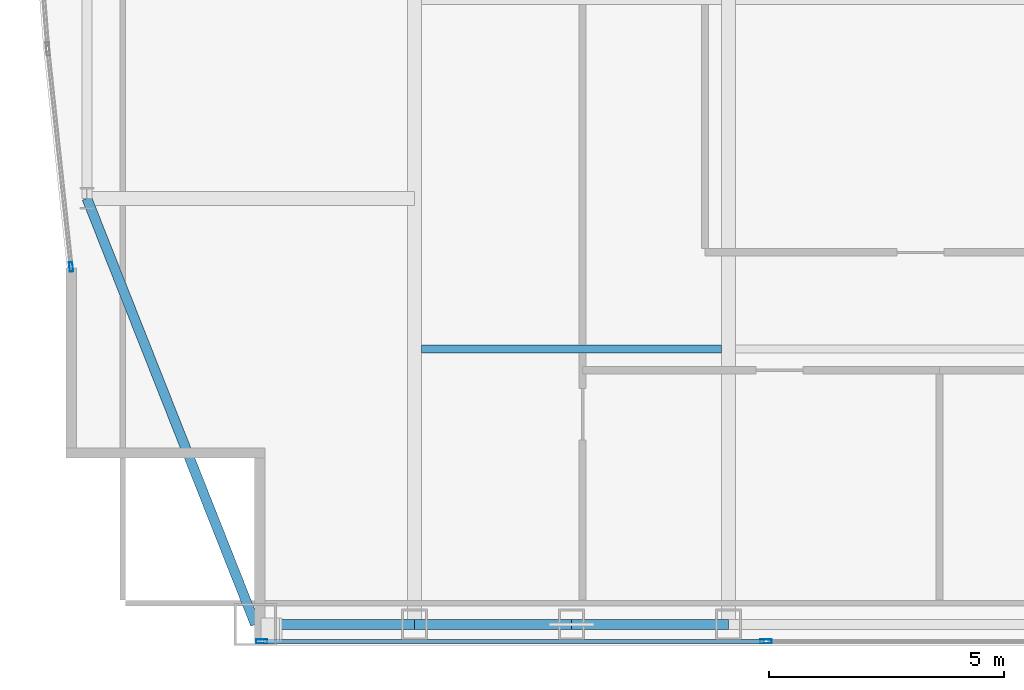
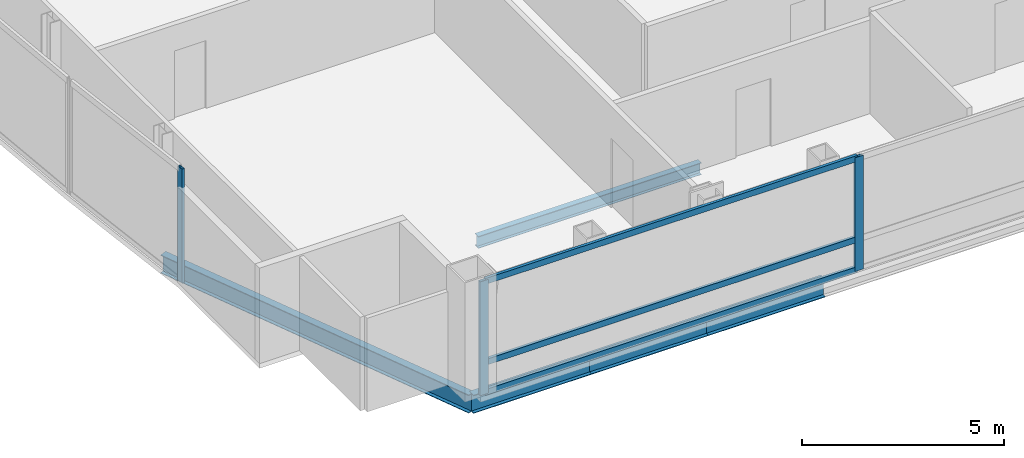
# One storey, part 4 of 27: 6 members, 5 beams, 2 elements without a shape of their own.
"""IFC4 building model written with IfcOpenShell, lengths in metres."""

from ifc_helpers import new_model, si_unit, direction, frame, origin, origin_2d, place, context, subcontext, project, spatial, hollow_rectangle, i_section, extrude, material, material_profile, profile_set, type_object, element, aggregate, save


model = new_model("IFC4")

# Units and contexts
model_context = context("Model", 3, precision=1e-05, world=origin(), true_north=direction((0.0, 1.0)))
body_context = subcontext(model_context, "Body", "Model", "MODEL_VIEW")
ifc_project = project(units=[si_unit("LENGTHUNIT", "METRE"), si_unit("AREAUNIT", "SQUARE_METRE"), si_unit("VOLUMEUNIT", "CUBIC_METRE"), si_unit("PLANEANGLEUNIT", "RADIAN"), si_unit("MASSUNIT", "GRAM", prefix="KILO")], contexts=[model_context])

# Site, building, storey
site_placement = place(None, origin())
site = spatial("IfcSite", under=ifc_project, at=site_placement, CompositionType="ELEMENT")
building_placement = place(site_placement, origin())
building = spatial("IfcBuilding", under=site, at=building_placement, Name="Khoronbel Lancet Exchange", CompositionType="ELEMENT")
storey_placement = place(building_placement, frame((0.0, 0.0, 343.39990234375)))
storey = spatial("IfcBuildingStorey", under=building, at=storey_placement, Name="L89", CompositionType="ELEMENT", Elevation=343.39990234375)

# Beams
ifc_material_1 = material(Name="Steel S355", Category="steel")
ifc_material_profile_1 = material_profile(ifc_material_1, i_section(OverallWidth=0.169921875, OverallDepth=0.360107421875, WebThickness=0.008056640625, FlangeThickness=0.0126953125, at=origin_2d()), Name="IPE 360")
ifc_profile_set_1 = profile_set([ifc_material_profile_1], Name="Steel S355")
beam_type_1 = type_object("IfcBeamType", Name="BM-BJ6", PredefinedType="JOIST", material=ifc_profile_set_1)
beam_1_placement = place(storey_placement, frame((18.375, 16.0, -0.33984375), z_axis=(1.0, 0.0, 0.0), x_axis=(0.0, 1.0, 0.0)))
element("IfcBeam", 1, at=beam_1_placement, inside=storey, type_object=beam_type_1, Name="Level L89 secondary composite joist J01", PredefinedType="JOIST", context=body_context, shape_type="SweptSolid", body=[
    extrude(i_section(OverallWidth=0.169921875, OverallDepth=0.360107421875, WebThickness=0.008056640625, FlangeThickness=0.0126953125, at=origin_2d()), origin(), (0.0, 0.0, 1.0), 6.375),
])
ifc_material_profile_2 = material_profile(ifc_material_1, i_section(OverallWidth=0.2099609375, OverallDepth=0.550048828125, WebThickness=0.010986328125, FlangeThickness=0.01708984375, at=origin_2d()), Name="IPE 550")
ifc_profile_set_2 = profile_set([ifc_material_profile_2], Name="Steel S355")
beam_type_2 = type_object("IfcBeamType", Name="BM-BSP3", PredefinedType="SPANDREL", material=ifc_profile_set_2)
beam_2_placement = place(storey_placement, frame((14.85009765625, 10.14990234375, -0.434814453125), z_axis=(1.0, 0.0, 0.0), x_axis=(0.0, 1.0, 0.0)))
element("IfcBeam", 2, at=beam_2_placement, inside=storey, type_object=beam_type_2, Name="Level L89 perimeter spandrel beam SP01", PredefinedType="SPANDREL", context=body_context, shape_type="SweptSolid", body=[
    extrude(i_section(OverallWidth=0.2099609375, OverallDepth=0.550048828125, WebThickness=0.010986328125, FlangeThickness=0.01708984375, at=origin_2d()), origin(), (0.0, 0.0, 1.0), 3.375),
])
for number, where, z_axis, x_axis, name in (
    (3, (18.22509765625, 10.14990234375, -0.434814453125), (1.0, 0.0, 0.0), (0.0, 1.0, 0.0), "Level L89 perimeter spandrel beam SP02"),
    (4, (21.5625, 10.14990234375, -0.434814453125), (1.0, 0.0, 0.0), (0.0, 1.0, 0.0), "Level L89 perimeter spandrel beam SP03"),
):
    element("IfcBeam", number, at=place(storey_placement, frame(where, z_axis=z_axis, x_axis=x_axis)), inside=storey, type_object=beam_type_2, Name=name, PredefinedType="SPANDREL", context=body_context, shape_type="SweptSolid", body=[
        extrude(i_section(OverallWidth=0.2099609375, OverallDepth=0.550048828125, WebThickness=0.010986328125, FlangeThickness=0.01708984375, at=origin_2d()), origin(), (0.0, 0.0, 1.0), 3.33740234375),
    ])
beam_3_placement = place(storey_placement, frame((11.27001953125, 19.199951171875, -0.434814453125), z_axis=(0.367850095026, -0.92988510451, 0.0), x_axis=(0.92988510451, 0.367850095026, 0.0)))
element("IfcBeam", 5, at=beam_3_placement, inside=storey, type_object=beam_type_2, Name="Level L89 perimeter spandrel beam SP19", PredefinedType="SPANDREL", context=body_context, shape_type="SweptSolid", body=[
    extrude(i_section(OverallWidth=0.2099609375, OverallDepth=0.550048828125, WebThickness=0.010986328125, FlangeThickness=0.01708984375, at=origin_2d()), origin(), (0.0, 0.0, 1.0), 9.732421875),
])

# Curtain wall, members
ifc_material_2 = material(Name="Low-E Solar Control Insulating Glass", Category="glass")
curtain_wall_type_1 = type_object("IfcCurtainWallType", Name="CW-3", PredefinedType="NOTDEFINED", material=ifc_material_2)
curtain_wall_1_placement = place(storey_placement, origin())
curtain_wall_1 = element("IfcCurtainWall", 6, at=curtain_wall_1_placement, inside=storey, type_object=curtain_wall_type_1, Name="Unitised curtain wall CW-L89-E26", PredefinedType="NOTDEFINED")
ifc_material_3 = material(Name="Bronze-Anodised Aluminium 6063-T6", Category="aluminium")
ifc_material_profile_3 = material_profile(ifc_material_3, hollow_rectangle(XDim=0.0849609375, YDim=0.239990234375, WallThickness=0.006103515625, at=origin_2d()), Name="ALU MULLION 85x240")
ifc_profile_set_3 = profile_set([ifc_material_profile_3], Name="Bronze-Anodised Aluminium 6063-T6")
member_type_1 = type_object("IfcMemberType", Name="MEM-CWM1", PredefinedType="MULLION", material=ifc_profile_set_3)
member_1_placement = place(storey_placement, frame((25.695068359375, 9.7900390625, 0.0), z_axis=(0.0, 0.0, 1.0), x_axis=(0.0, -1.0, 0.0)))
member_1 = element("IfcMember", 7, at=member_1_placement, type_object=member_type_1, Name="CW3 mullion 4", PredefinedType="MULLION", context=body_context, shape_type="SweptSolid", body=[
    extrude(hollow_rectangle(XDim=0.0849609375, YDim=0.239990234375, WallThickness=0.006103515625, at=origin_2d()), origin(), (0.0, 0.0, 1.0), 3.440185546875),
])
member_2_placement = place(storey_placement, frame((14.982421875, 9.7900390625, 0.0), z_axis=(0.0, 0.0, 1.0), x_axis=(0.0, -1.0, 0.0)))
member_2 = element("IfcMember", 8, at=member_2_placement, type_object=member_type_1, Name="CW3 mullion 5", PredefinedType="MULLION", context=body_context, shape_type="SweptSolid", body=[
    extrude(hollow_rectangle(XDim=0.0849609375, YDim=0.239990234375, WallThickness=0.006103515625, at=origin_2d()), origin(), (0.0, 0.0, 1.0), 3.440185546875),
])

# Curtain wall, member
curtain_wall_type_2 = type_object("IfcCurtainWallType", Name="CW-4", PredefinedType="NOTDEFINED", material=ifc_material_2)
curtain_wall_2_placement = place(storey_placement, origin())
curtain_wall_2 = element("IfcCurtainWall", 9, at=curtain_wall_2_placement, inside=storey, type_object=curtain_wall_type_2, Name="Unitised curtain wall CW-L89-E04", PredefinedType="NOTDEFINED")
ifc_material_profile_4 = material_profile(ifc_material_3, hollow_rectangle(XDim=0.074951171875, YDim=0.199951171875, WallThickness=0.0048828125, at=origin_2d()), Name="ALU MULLION 75x200")
ifc_profile_set_4 = profile_set([ifc_material_profile_4], Name="Bronze-Anodised Aluminium 6063-T6")
member_type_2 = type_object("IfcMemberType", Name="MEM-CWM2", PredefinedType="MULLION", material=ifc_profile_set_4)
member_3_placement = place(storey_placement, frame((10.93603515625, 17.7421875, 0.0), z_axis=(0.0, 0.0, 1.0), x_axis=(-0.994308670645, -0.106537634098, 0.0)))
member_3 = element("IfcMember", 10, at=member_3_placement, type_object=member_type_2, Name="CW4 mullion 1", PredefinedType="MULLION", context=body_context, shape_type="SweptSolid", body=[
    extrude(hollow_rectangle(XDim=0.074951171875, YDim=0.199951171875, WallThickness=0.0048828125, at=origin_2d()), origin(), (0.0, 0.0, 1.0), 3.440185546875),
])
aggregate(curtain_wall_2, [member_3])

# Member
ifc_material_profile_5 = material_profile(ifc_material_3, hollow_rectangle(XDim=0.0849609375, YDim=0.179931640625, WallThickness=0.0048828125, at=origin_2d()), Name="ALU TRANSOM 85x180")
ifc_profile_set_5 = profile_set([ifc_material_profile_5], Name="Bronze-Anodised Aluminium 6063-T6")
member_type_3 = type_object("IfcMemberType", Name="MEM-CWT1", PredefinedType="USERDEFINED", material=ifc_profile_set_5)
member_4_placement = place(storey_placement, frame((25.652587890625, 9.7900390625, 0.04248046875), z_axis=(-1.0, 0.0, 0.0), x_axis=(0.0, -1.0, 0.0)))
member_4 = element("IfcMember", 11, at=member_4_placement, type_object=member_type_3, Name="CW3 transom 4.1", ObjectType="TRANSOM", PredefinedType="USERDEFINED", context=body_context, shape_type="SweptSolid", body=[
    extrude(hollow_rectangle(XDim=0.0849609375, YDim=0.179931640625, WallThickness=0.0048828125, at=origin_2d()), origin(), (0.0, 0.0, 1.0), 10.627685546875),
])

member_5_placement = place(storey_placement, frame((25.652587890625, 9.7900390625, 0.9501953125), z_axis=(-1.0, 0.0, 0.0), x_axis=(0.0, -1.0, 0.0)))
member_5 = element("IfcMember", 12, at=member_5_placement, type_object=member_type_3, Name="CW3 transom 4.2", ObjectType="TRANSOM", PredefinedType="USERDEFINED", context=body_context, shape_type="SweptSolid", body=[
    extrude(hollow_rectangle(XDim=0.0849609375, YDim=0.179931640625, WallThickness=0.0048828125, at=origin_2d()), origin(), (0.0, 0.0, 1.0), 10.627685546875),
])

member_6_placement = place(storey_placement, frame((25.652587890625, 9.7900390625, 3.397705078125), z_axis=(-1.0, 0.0, 0.0), x_axis=(0.0, -1.0, 0.0)))
member_6 = element("IfcMember", 13, at=member_6_placement, type_object=member_type_3, Name="CW3 transom 4.3", ObjectType="TRANSOM", PredefinedType="USERDEFINED", context=body_context, shape_type="SweptSolid", body=[
    extrude(hollow_rectangle(XDim=0.0849609375, YDim=0.179931640625, WallThickness=0.0048828125, at=origin_2d()), origin(), (0.0, 0.0, 1.0), 10.627685546875),
])

aggregate(curtain_wall_1, [member_1, member_2, member_4, member_5, member_6])

save(model, "model.ifc")
